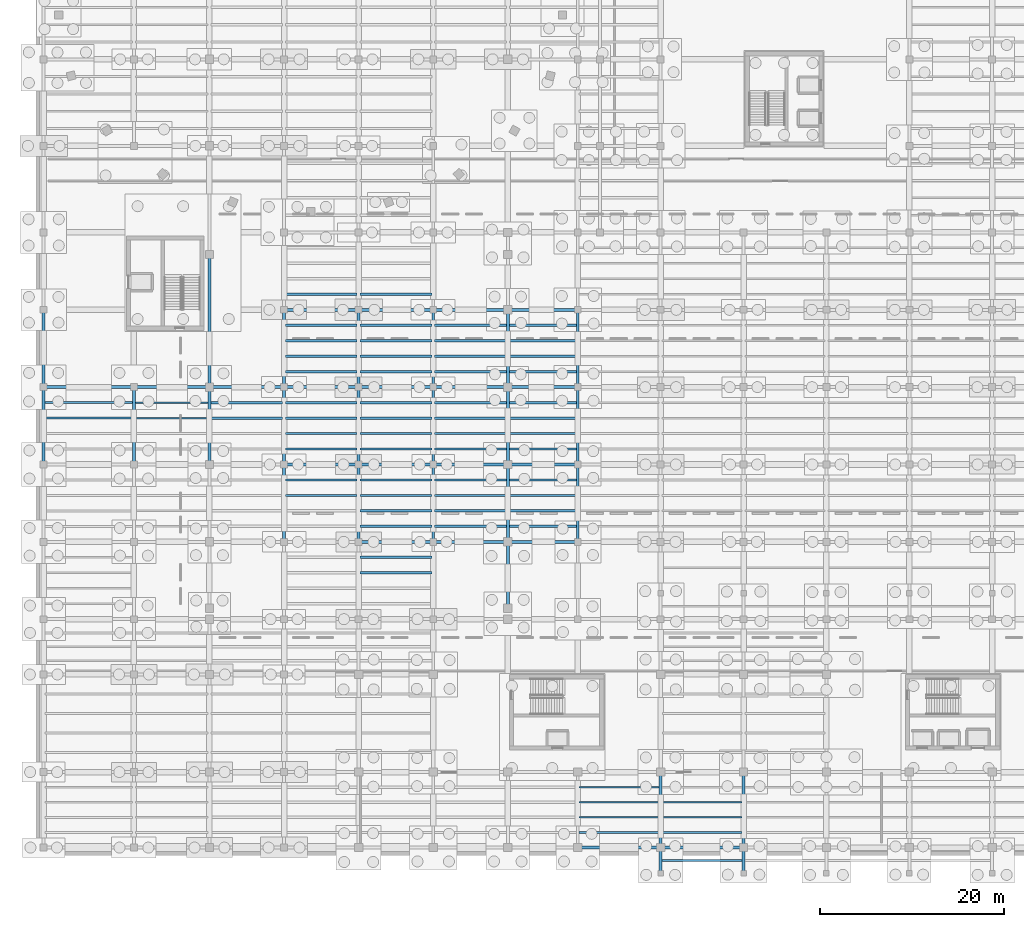
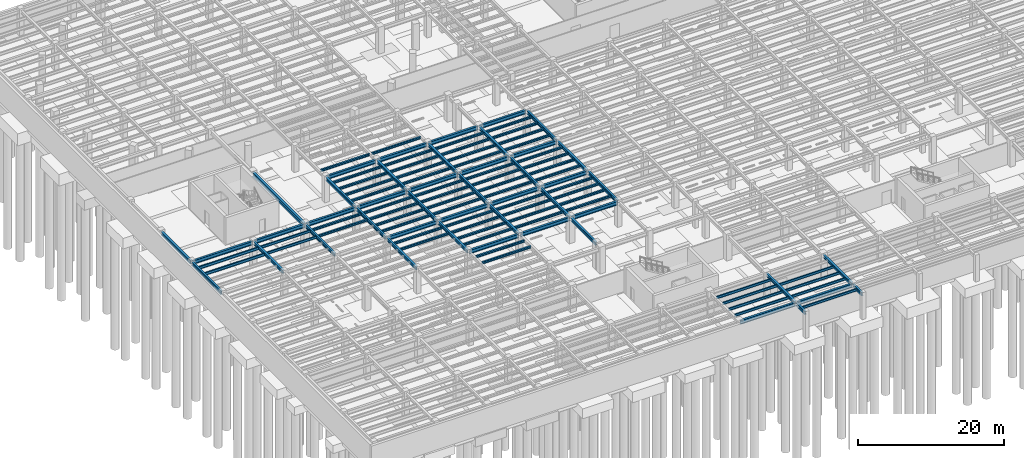
# One storey, part 20 of 49: 109 beams.
"""IFC4 building model written with IfcOpenShell, lengths in metres."""

from ifc_helpers import new_model, si_unit, direction, frame, origin, origin_2d, place, context, subcontext, project, spatial, i_section, extrude, material, material_profile, profile_set, type_object, element, save


model = new_model("IFC4")

# Units and contexts
model_context = context("Model", 3, precision=1e-05, world=origin(), true_north=direction((0.0, 1.0)))
body_context = subcontext(model_context, "Body", "Model", "MODEL_VIEW")
ifc_project = project(units=[si_unit("LENGTHUNIT", "METRE"), si_unit("AREAUNIT", "SQUARE_METRE"), si_unit("VOLUMEUNIT", "CUBIC_METRE"), si_unit("PLANEANGLEUNIT", "RADIAN"), si_unit("MASSUNIT", "GRAM", prefix="KILO")], contexts=[model_context])

# Site, building, storey
site_placement = place(None, origin())
site = spatial("IfcSite", under=ifc_project, at=site_placement, CompositionType="ELEMENT")
building_placement = place(site_placement, origin())
building = spatial("IfcBuilding", under=site, at=building_placement, Name="Sollismere Congress Hotel", CompositionType="ELEMENT")
storey_placement = place(building_placement, frame((0.0, 0.0, -4.5)))
storey = spatial("IfcBuildingStorey", under=building, at=storey_placement, Name="B1", CompositionType="ELEMENT", Elevation=-4.5)

# Beams
ifc_material = material(Name="Steel ASTM A992 Grade 50", Category="steel")
ifc_material_profile_1 = material_profile(ifc_material, i_section(OverallWidth=0.31494140625, OverallDepth=0.551025390625, WebThickness=0.01513671875, FlangeThickness=0.0244140625, at=origin_2d()), Name="W21X122")
ifc_profile_set_1 = profile_set([ifc_material_profile_1], Name="Steel ASTM A992 Grade 50")
beam_type_1 = type_object("IfcBeamType", Name="BM-G21H", PredefinedType="BEAM", material=ifc_profile_set_1)
for number, where, z_axis, x_axis, name in (
    (1, (9.800048828125, 41.739990234375, 3.924560546875), (0.0, 1.0, 0.0), (-1.0, 0.0, 0.0), "Beam BM-B1-0251"),
    (2, (18.0, 41.739990234375, 3.924560546875), (0.0, 1.0, 0.0), (-1.0, 0.0, 0.0), "Beam BM-B1-0261"),
):
    element("IfcBeam", number, at=place(storey_placement, frame(where, z_axis=z_axis, x_axis=x_axis)), inside=storey, type_object=beam_type_1, Name=name, PredefinedType="BEAM", context=body_context, shape_type="SweptSolid", body=[
        extrude(i_section(OverallWidth=0.31494140625, OverallDepth=0.551025390625, WebThickness=0.01513671875, FlangeThickness=0.0244140625, at=origin_2d()), origin(), (0.0, 0.0, 1.0), 8.1201171875),
    ])
beam_1_placement = place(storey_placement, frame((26.10009765625, 33.340087890625, 3.924560546875), z_axis=(0.0, 1.0, 0.0), x_axis=(-1.0, 0.0, 0.0)))
element("IfcBeam", 3, at=beam_1_placement, inside=storey, type_object=beam_type_1, Name="Beam BM-B1-0272", PredefinedType="BEAM", context=body_context, shape_type="SweptSolid", body=[
    extrude(i_section(OverallWidth=0.31494140625, OverallDepth=0.551025390625, WebThickness=0.01513671875, FlangeThickness=0.0244140625, at=origin_2d()), origin(), (0.0, 0.0, 1.0), 8.119873046875),
])
for number, where, z_axis, x_axis, name in (
    (4, (26.10009765625, 41.739990234375, 3.924560546875), (0.0, 1.0, 0.0), (-1.0, 0.0, 0.0), "Beam BM-B1-0273"),
    (5, (26.10009765625, 50.139892578125, 3.924560546875), (0.0, 1.0, 0.0), (-1.0, 0.0, 0.0), "Beam BM-B1-0274"),
):
    element("IfcBeam", number, at=place(storey_placement, frame(where, z_axis=z_axis, x_axis=x_axis)), inside=storey, type_object=beam_type_1, Name=name, PredefinedType="BEAM", context=body_context, shape_type="SweptSolid", body=[
        extrude(i_section(OverallWidth=0.31494140625, OverallDepth=0.551025390625, WebThickness=0.01513671875, FlangeThickness=0.0244140625, at=origin_2d()), origin(), (0.0, 0.0, 1.0), 8.1201171875),
    ])
beam_2_placement = place(storey_placement, frame((34.199951171875, 33.340087890625, 3.924560546875), z_axis=(0.0, 1.0, 0.0), x_axis=(-1.0, 0.0, 0.0)))
element("IfcBeam", 6, at=beam_2_placement, inside=storey, type_object=beam_type_1, Name="Beam BM-B1-0285", PredefinedType="BEAM", context=body_context, shape_type="SweptSolid", body=[
    extrude(i_section(OverallWidth=0.31494140625, OverallDepth=0.551025390625, WebThickness=0.01513671875, FlangeThickness=0.0244140625, at=origin_2d()), origin(), (0.0, 0.0, 1.0), 8.119873046875),
])
for number, where, z_axis, x_axis, name in (
    (7, (34.199951171875, 41.739990234375, 3.924560546875), (0.0, 1.0, 0.0), (-1.0, 0.0, 0.0), "Beam BM-B1-0286"),
    (8, (34.199951171875, 50.139892578125, 3.924560546875), (0.0, 1.0, 0.0), (-1.0, 0.0, 0.0), "Beam BM-B1-0287"),
):
    element("IfcBeam", number, at=place(storey_placement, frame(where, z_axis=z_axis, x_axis=x_axis)), inside=storey, type_object=beam_type_1, Name=name, PredefinedType="BEAM", context=body_context, shape_type="SweptSolid", body=[
        extrude(i_section(OverallWidth=0.31494140625, OverallDepth=0.551025390625, WebThickness=0.01513671875, FlangeThickness=0.0244140625, at=origin_2d()), origin(), (0.0, 0.0, 1.0), 8.1201171875),
    ])
beam_3_placement = place(storey_placement, frame((42.300048828125, 33.340087890625, 3.924560546875), z_axis=(0.0, 1.0, 0.0), x_axis=(-1.0, 0.0, 0.0)))
element("IfcBeam", 9, at=beam_3_placement, inside=storey, type_object=beam_type_1, Name="Beam BM-B1-0298", PredefinedType="BEAM", context=body_context, shape_type="SweptSolid", body=[
    extrude(i_section(OverallWidth=0.31494140625, OverallDepth=0.551025390625, WebThickness=0.01513671875, FlangeThickness=0.0244140625, at=origin_2d()), origin(), (0.0, 0.0, 1.0), 8.119873046875),
])
for number, where, z_axis, x_axis, name in (
    (10, (42.300048828125, 41.739990234375, 3.924560546875), (0.0, 1.0, 0.0), (-1.0, 0.0, 0.0), "Beam BM-B1-0299"),
    (11, (42.300048828125, 50.139892578125, 3.924560546875), (0.0, 1.0, 0.0), (-1.0, 0.0, 0.0), "Beam BM-B1-0300"),
):
    element("IfcBeam", number, at=place(storey_placement, frame(where, z_axis=z_axis, x_axis=x_axis)), inside=storey, type_object=beam_type_1, Name=name, PredefinedType="BEAM", context=body_context, shape_type="SweptSolid", body=[
        extrude(i_section(OverallWidth=0.31494140625, OverallDepth=0.551025390625, WebThickness=0.01513671875, FlangeThickness=0.0244140625, at=origin_2d()), origin(), (0.0, 0.0, 1.0), 8.1201171875),
    ])
beam_4_placement = place(storey_placement, frame((50.39990234375, 26.139892578125, 3.924560546875), z_axis=(0.0, 1.0, 0.0), x_axis=(-1.0, 0.0, 0.0)))
element("IfcBeam", 12, at=beam_4_placement, inside=storey, type_object=beam_type_1, Name="Beam BM-B1-0308", PredefinedType="BEAM", context=body_context, shape_type="SweptSolid", body=[
    extrude(i_section(OverallWidth=0.31494140625, OverallDepth=0.551025390625, WebThickness=0.01513671875, FlangeThickness=0.0244140625, at=origin_2d()), origin(), (0.0, 0.0, 1.0), 6.920166015625),
])
beam_5_placement = place(storey_placement, frame((50.39990234375, 33.340087890625, 3.924560546875), z_axis=(0.0, 1.0, 0.0), x_axis=(-1.0, 0.0, 0.0)))
element("IfcBeam", 13, at=beam_5_placement, inside=storey, type_object=beam_type_1, Name="Beam BM-B1-0309", PredefinedType="BEAM", context=body_context, shape_type="SweptSolid", body=[
    extrude(i_section(OverallWidth=0.31494140625, OverallDepth=0.551025390625, WebThickness=0.01513671875, FlangeThickness=0.0244140625, at=origin_2d()), origin(), (0.0, 0.0, 1.0), 8.119873046875),
])
for number, where, z_axis, x_axis, name in (
    (14, (50.39990234375, 41.739990234375, 3.924560546875), (0.0, 1.0, 0.0), (-1.0, 0.0, 0.0), "Beam BM-B1-0310"),
    (15, (50.39990234375, 50.139892578125, 3.924560546875), (0.0, 1.0, 0.0), (-1.0, 0.0, 0.0), "Beam BM-B1-0311"),
):
    element("IfcBeam", number, at=place(storey_placement, frame(where, z_axis=z_axis, x_axis=x_axis)), inside=storey, type_object=beam_type_1, Name=name, PredefinedType="BEAM", context=body_context, shape_type="SweptSolid", body=[
        extrude(i_section(OverallWidth=0.31494140625, OverallDepth=0.551025390625, WebThickness=0.01513671875, FlangeThickness=0.0244140625, at=origin_2d()), origin(), (0.0, 0.0, 1.0), 8.1201171875),
    ])
beam_6_placement = place(storey_placement, frame((58.0, 33.340087890625, 3.924560546875), z_axis=(0.0, 1.0, 0.0), x_axis=(-1.0, 0.0, 0.0)))
element("IfcBeam", 16, at=beam_6_placement, inside=storey, type_object=beam_type_1, Name="Beam BM-B1-0317", PredefinedType="BEAM", context=body_context, shape_type="SweptSolid", body=[
    extrude(i_section(OverallWidth=0.31494140625, OverallDepth=0.551025390625, WebThickness=0.01513671875, FlangeThickness=0.0244140625, at=origin_2d()), origin(), (0.0, 0.0, 1.0), 8.119873046875),
])
for number, where, z_axis, x_axis, name in (
    (17, (58.0, 41.739990234375, 3.924560546875), (0.0, 1.0, 0.0), (-1.0, 0.0, 0.0), "Beam BM-B1-0318"),
    (18, (58.0, 50.139892578125, 3.924560546875), (0.0, 1.0, 0.0), (-1.0, 0.0, 0.0), "Beam BM-B1-0319"),
):
    element("IfcBeam", number, at=place(storey_placement, frame(where, z_axis=z_axis, x_axis=x_axis)), inside=storey, type_object=beam_type_1, Name=name, PredefinedType="BEAM", context=body_context, shape_type="SweptSolid", body=[
        extrude(i_section(OverallWidth=0.31494140625, OverallDepth=0.551025390625, WebThickness=0.01513671875, FlangeThickness=0.0244140625, at=origin_2d()), origin(), (0.0, 0.0, 1.0), 8.1201171875),
    ])
beam_7_placement = place(storey_placement, frame((67.0, -2.659912109375, 3.924560546875), z_axis=(0.0, 1.0, 0.0), x_axis=(-1.0, 0.0, 0.0)))
element("IfcBeam", 19, at=beam_7_placement, inside=storey, type_object=beam_type_1, Name="Beam BM-B1-0330", PredefinedType="BEAM", context=body_context, shape_type="SweptSolid", body=[
    extrude(i_section(OverallWidth=0.31494140625, OverallDepth=0.551025390625, WebThickness=0.01513671875, FlangeThickness=0.0244140625, at=origin_2d()), origin(), (0.0, 0.0, 1.0), 2.52001953125),
])
beam_8_placement = place(storey_placement, frame((67.0, 0.139892578125, 3.924560546875), z_axis=(0.0, 1.0, 0.0), x_axis=(-1.0, 0.0, 0.0)))
element("IfcBeam", 20, at=beam_8_placement, inside=storey, type_object=beam_type_1, Name="Beam BM-B1-0331", PredefinedType="BEAM", context=body_context, shape_type="SweptSolid", body=[
    extrude(i_section(OverallWidth=0.31494140625, OverallDepth=0.551025390625, WebThickness=0.01513671875, FlangeThickness=0.0244140625, at=origin_2d()), origin(), (0.0, 0.0, 1.0), 7.920166015625),
])
beam_9_placement = place(storey_placement, frame((76.0, -2.659912109375, 3.924560546875), z_axis=(0.0, 1.0, 0.0), x_axis=(-1.0, 0.0, 0.0)))
element("IfcBeam", 21, at=beam_9_placement, inside=storey, type_object=beam_type_1, Name="Beam BM-B1-0345", PredefinedType="BEAM", context=body_context, shape_type="SweptSolid", body=[
    extrude(i_section(OverallWidth=0.31494140625, OverallDepth=0.551025390625, WebThickness=0.01513671875, FlangeThickness=0.0244140625, at=origin_2d()), origin(), (0.0, 0.0, 1.0), 2.52001953125),
])
beam_10_placement = place(storey_placement, frame((76.0, 0.139892578125, 3.924560546875), z_axis=(0.0, 1.0, 0.0), x_axis=(-1.0, 0.0, 0.0)))
element("IfcBeam", 22, at=beam_10_placement, inside=storey, type_object=beam_type_1, Name="Beam BM-B1-0346", PredefinedType="BEAM", context=body_context, shape_type="SweptSolid", body=[
    extrude(i_section(OverallWidth=0.31494140625, OverallDepth=0.551025390625, WebThickness=0.01513671875, FlangeThickness=0.0244140625, at=origin_2d()), origin(), (0.0, 0.0, 1.0), 7.920166015625),
])
ifc_material_profile_2 = material_profile(ifc_material, i_section(OverallWidth=0.324951171875, OverallDepth=0.612060546875, WebThickness=0.0126953125, FlangeThickness=0.01904296875, at=origin_2d()), Name="W24X104")
ifc_profile_set_2 = profile_set([ifc_material_profile_2], Name="Steel ASTM A992 Grade 50")
beam_type_2 = type_object("IfcBeamType", Name="BM-G24", PredefinedType="BEAM", material=ifc_profile_set_2)
beam_11_placement = place(storey_placement, frame((34.340087890625, 33.199951171875, 3.89404296875), z_axis=(1.0, 0.0, 0.0), x_axis=(0.0, 1.0, 0.0)))
element("IfcBeam", 23, at=beam_11_placement, inside=storey, type_object=beam_type_2, Name="Beam BM-B1-0068", PredefinedType="BEAM", context=body_context, shape_type="SweptSolid", body=[
    extrude(i_section(OverallWidth=0.324951171875, OverallDepth=0.612060546875, WebThickness=0.0126953125, FlangeThickness=0.01904296875, at=origin_2d()), origin(), (0.0, 0.0, 1.0), 7.81982421875),
])
beam_12_placement = place(storey_placement, frame((42.43994140625, 33.199951171875, 3.89404296875), z_axis=(1.0, 0.0, 0.0), x_axis=(0.0, 1.0, 0.0)))
element("IfcBeam", 24, at=beam_12_placement, inside=storey, type_object=beam_type_2, Name="Beam BM-B1-0069", PredefinedType="BEAM", context=body_context, shape_type="SweptSolid", body=[
    extrude(i_section(OverallWidth=0.324951171875, OverallDepth=0.612060546875, WebThickness=0.0126953125, FlangeThickness=0.01904296875, at=origin_2d()), origin(), (0.0, 0.0, 1.0), 7.820068359375),
])
beam_13_placement = place(storey_placement, frame((50.5400390625, 33.199951171875, 3.89404296875), z_axis=(1.0, 0.0, 0.0), x_axis=(0.0, 1.0, 0.0)))
element("IfcBeam", 25, at=beam_13_placement, inside=storey, type_object=beam_type_2, Name="Beam BM-B1-0070", PredefinedType="BEAM", context=body_context, shape_type="SweptSolid", body=[
    extrude(i_section(OverallWidth=0.324951171875, OverallDepth=0.612060546875, WebThickness=0.0126953125, FlangeThickness=0.01904296875, at=origin_2d()), origin(), (0.0, 0.0, 1.0), 7.320068359375),
])
beam_14_placement = place(storey_placement, frame((26.239990234375, 41.60009765625, 3.89404296875), z_axis=(1.0, 0.0, 0.0), x_axis=(0.0, 1.0, 0.0)))
element("IfcBeam", 26, at=beam_14_placement, inside=storey, type_object=beam_type_2, Name="Beam BM-B1-0085", PredefinedType="BEAM", context=body_context, shape_type="SweptSolid", body=[
    extrude(i_section(OverallWidth=0.324951171875, OverallDepth=0.612060546875, WebThickness=0.0126953125, FlangeThickness=0.01904296875, at=origin_2d()), origin(), (0.0, 0.0, 1.0), 7.820068359375),
])
beam_15_placement = place(storey_placement, frame((34.340087890625, 41.60009765625, 3.89404296875), z_axis=(1.0, 0.0, 0.0), x_axis=(0.0, 1.0, 0.0)))
element("IfcBeam", 27, at=beam_15_placement, inside=storey, type_object=beam_type_2, Name="Beam BM-B1-0086", PredefinedType="BEAM", context=body_context, shape_type="SweptSolid", body=[
    extrude(i_section(OverallWidth=0.324951171875, OverallDepth=0.612060546875, WebThickness=0.0126953125, FlangeThickness=0.01904296875, at=origin_2d()), origin(), (0.0, 0.0, 1.0), 7.81982421875),
])
beam_16_placement = place(storey_placement, frame((42.43994140625, 41.60009765625, 3.89404296875), z_axis=(1.0, 0.0, 0.0), x_axis=(0.0, 1.0, 0.0)))
element("IfcBeam", 28, at=beam_16_placement, inside=storey, type_object=beam_type_2, Name="Beam BM-B1-0087", PredefinedType="BEAM", context=body_context, shape_type="SweptSolid", body=[
    extrude(i_section(OverallWidth=0.324951171875, OverallDepth=0.612060546875, WebThickness=0.0126953125, FlangeThickness=0.01904296875, at=origin_2d()), origin(), (0.0, 0.0, 1.0), 7.820068359375),
])
beam_17_placement = place(storey_placement, frame((50.5400390625, 41.60009765625, 3.89404296875), z_axis=(1.0, 0.0, 0.0), x_axis=(0.0, 1.0, 0.0)))
element("IfcBeam", 29, at=beam_17_placement, inside=storey, type_object=beam_type_2, Name="Beam BM-B1-0088", PredefinedType="BEAM", context=body_context, shape_type="SweptSolid", body=[
    extrude(i_section(OverallWidth=0.324951171875, OverallDepth=0.612060546875, WebThickness=0.0126953125, FlangeThickness=0.01904296875, at=origin_2d()), origin(), (0.0, 0.0, 1.0), 7.320068359375),
])
beam_18_placement = place(storey_placement, frame((0.139892578125, 50.0, 3.89404296875), z_axis=(1.0, 0.0, 0.0), x_axis=(0.0, 1.0, 0.0)))
element("IfcBeam", 30, at=beam_18_placement, inside=storey, type_object=beam_type_2, Name="Beam BM-B1-0097", PredefinedType="BEAM", context=body_context, shape_type="SweptSolid", body=[
    extrude(i_section(OverallWidth=0.324951171875, OverallDepth=0.612060546875, WebThickness=0.0126953125, FlangeThickness=0.01904296875, at=origin_2d()), origin(), (0.0, 0.0, 1.0), 9.52001953125),
])
beam_19_placement = place(storey_placement, frame((9.93994140625, 50.0, 3.89404296875), z_axis=(1.0, 0.0, 0.0), x_axis=(0.0, 1.0, 0.0)))
element("IfcBeam", 31, at=beam_19_placement, inside=storey, type_object=beam_type_2, Name="Beam BM-B1-0098", PredefinedType="BEAM", context=body_context, shape_type="SweptSolid", body=[
    extrude(i_section(OverallWidth=0.324951171875, OverallDepth=0.612060546875, WebThickness=0.0126953125, FlangeThickness=0.01904296875, at=origin_2d()), origin(), (0.0, 0.0, 1.0), 7.920166015625),
])
for number, where, z_axis, x_axis, name in (
    (32, (18.139892578125, 50.0, 3.89404296875), (1.0, 0.0, 0.0), (0.0, 1.0, 0.0), "Beam BM-B1-0099"),
    (33, (26.239990234375, 50.0, 3.89404296875), (1.0, 0.0, 0.0), (0.0, 1.0, 0.0), "Beam BM-B1-0100"),
):
    element("IfcBeam", number, at=place(storey_placement, frame(where, z_axis=z_axis, x_axis=x_axis)), inside=storey, type_object=beam_type_2, Name=name, PredefinedType="BEAM", context=body_context, shape_type="SweptSolid", body=[
        extrude(i_section(OverallWidth=0.324951171875, OverallDepth=0.612060546875, WebThickness=0.0126953125, FlangeThickness=0.01904296875, at=origin_2d()), origin(), (0.0, 0.0, 1.0), 7.820068359375),
    ])
beam_20_placement = place(storey_placement, frame((34.340087890625, 50.0, 3.89404296875), z_axis=(1.0, 0.0, 0.0), x_axis=(0.0, 1.0, 0.0)))
element("IfcBeam", 34, at=beam_20_placement, inside=storey, type_object=beam_type_2, Name="Beam BM-B1-0101", PredefinedType="BEAM", context=body_context, shape_type="SweptSolid", body=[
    extrude(i_section(OverallWidth=0.324951171875, OverallDepth=0.612060546875, WebThickness=0.0126953125, FlangeThickness=0.01904296875, at=origin_2d()), origin(), (0.0, 0.0, 1.0), 7.81982421875),
])
beam_21_placement = place(storey_placement, frame((42.43994140625, 50.0, 3.89404296875), z_axis=(1.0, 0.0, 0.0), x_axis=(0.0, 1.0, 0.0)))
element("IfcBeam", 35, at=beam_21_placement, inside=storey, type_object=beam_type_2, Name="Beam BM-B1-0102", PredefinedType="BEAM", context=body_context, shape_type="SweptSolid", body=[
    extrude(i_section(OverallWidth=0.324951171875, OverallDepth=0.612060546875, WebThickness=0.0126953125, FlangeThickness=0.01904296875, at=origin_2d()), origin(), (0.0, 0.0, 1.0), 7.820068359375),
])
beam_22_placement = place(storey_placement, frame((50.5400390625, 50.0, 3.89404296875), z_axis=(1.0, 0.0, 0.0), x_axis=(0.0, 1.0, 0.0)))
element("IfcBeam", 36, at=beam_22_placement, inside=storey, type_object=beam_type_2, Name="Beam BM-B1-0103", PredefinedType="BEAM", context=body_context, shape_type="SweptSolid", body=[
    extrude(i_section(OverallWidth=0.324951171875, OverallDepth=0.612060546875, WebThickness=0.0126953125, FlangeThickness=0.01904296875, at=origin_2d()), origin(), (0.0, 0.0, 1.0), 7.320068359375),
])
beam_23_placement = place(storey_placement, frame((26.239990234375, 58.39990234375, 3.89404296875), z_axis=(1.0, 0.0, 0.0), x_axis=(0.0, 1.0, 0.0)))
element("IfcBeam", 37, at=beam_23_placement, inside=storey, type_object=beam_type_2, Name="Beam BM-B1-0112", PredefinedType="BEAM", context=body_context, shape_type="SweptSolid", body=[
    extrude(i_section(OverallWidth=0.324951171875, OverallDepth=0.612060546875, WebThickness=0.0126953125, FlangeThickness=0.01904296875, at=origin_2d()), origin(), (0.0, 0.0, 1.0), 7.820068359375),
])
beam_24_placement = place(storey_placement, frame((34.340087890625, 58.39990234375, 3.89404296875), z_axis=(1.0, 0.0, 0.0), x_axis=(0.0, 1.0, 0.0)))
element("IfcBeam", 38, at=beam_24_placement, inside=storey, type_object=beam_type_2, Name="Beam BM-B1-0113", PredefinedType="BEAM", context=body_context, shape_type="SweptSolid", body=[
    extrude(i_section(OverallWidth=0.324951171875, OverallDepth=0.612060546875, WebThickness=0.0126953125, FlangeThickness=0.01904296875, at=origin_2d()), origin(), (0.0, 0.0, 1.0), 7.81982421875),
])
beam_25_placement = place(storey_placement, frame((42.43994140625, 58.39990234375, 3.89404296875), z_axis=(1.0, 0.0, 0.0), x_axis=(0.0, 1.0, 0.0)))
element("IfcBeam", 39, at=beam_25_placement, inside=storey, type_object=beam_type_2, Name="Beam BM-B1-0114", PredefinedType="BEAM", context=body_context, shape_type="SweptSolid", body=[
    extrude(i_section(OverallWidth=0.324951171875, OverallDepth=0.612060546875, WebThickness=0.0126953125, FlangeThickness=0.01904296875, at=origin_2d()), origin(), (0.0, 0.0, 1.0), 7.820068359375),
])
beam_26_placement = place(storey_placement, frame((50.5400390625, 58.39990234375, 3.89404296875), z_axis=(1.0, 0.0, 0.0), x_axis=(0.0, 1.0, 0.0)))
element("IfcBeam", 40, at=beam_26_placement, inside=storey, type_object=beam_type_2, Name="Beam BM-B1-0115", PredefinedType="BEAM", context=body_context, shape_type="SweptSolid", body=[
    extrude(i_section(OverallWidth=0.324951171875, OverallDepth=0.612060546875, WebThickness=0.0126953125, FlangeThickness=0.01904296875, at=origin_2d()), origin(), (0.0, 0.0, 1.0), 7.320068359375),
])
ifc_material_profile_3 = material_profile(ifc_material, i_section(OverallWidth=0.35595703125, OverallDepth=0.696044921875, WebThickness=0.015380859375, FlangeThickness=0.025146484375, at=origin_2d()), Name="W27X146")
ifc_profile_set_3 = profile_set([ifc_material_profile_3], Name="Steel ASTM A992 Grade 50")
beam_type_3 = type_object("IfcBeamType", Name="BM-G27", PredefinedType="BEAM", material=ifc_profile_set_3)
beam_27_placement = place(storey_placement, frame((18.0, 50.139892578125, 3.85205078125), z_axis=(0.0, 1.0, 0.0), x_axis=(-1.0, 0.0, 0.0)))
element("IfcBeam", 41, at=beam_27_placement, inside=storey, type_object=beam_type_3, Name="Beam BM-B1-0262", PredefinedType="BEAM", context=body_context, shape_type="SweptSolid", body=[
    extrude(i_section(OverallWidth=0.35595703125, OverallDepth=0.696044921875, WebThickness=0.015380859375, FlangeThickness=0.025146484375, at=origin_2d()), origin(), (0.0, 0.0, 1.0), 14.1201171875),
])
ifc_material_profile_4 = material_profile(ifc_material, i_section(OverallWidth=0.25390625, OverallDepth=0.35595703125, WebThickness=0.010498046875, FlangeThickness=0.018310546875, at=origin_2d()), Name="W14X68")
ifc_profile_set_4 = profile_set([ifc_material_profile_4], Name="Steel ASTM A992 Grade 50")
beam_type_4 = type_object("IfcBeamType", Name="BM-J14", PredefinedType="JOIST", material=ifc_profile_set_4)
for number, where, z_axis, x_axis, name in (
    (42, (18.157470703125, 46.639892578125, 4.02197265625), (1.0, 0.0, 0.0), (0.0, 1.0, 0.0), "Beam BM-B1-0551"),
    (43, (18.157470703125, 48.320068359375, 4.02197265625), (1.0, 0.0, 0.0), (0.0, 1.0, 0.0), "Beam BM-B1-0552"),
    (44, (26.257568359375, 38.239990234375, 4.02197265625), (1.0, 0.0, 0.0), (0.0, 1.0, 0.0), "Beam BM-B1-0586"),
    (45, (26.257568359375, 39.919921875, 4.02197265625), (1.0, 0.0, 0.0), (0.0, 1.0, 0.0), "Beam BM-B1-0587"),
    (46, (26.257568359375, 43.280029296875, 4.02197265625), (1.0, 0.0, 0.0), (0.0, 1.0, 0.0), "Beam BM-B1-0588"),
    (47, (26.257568359375, 44.9599609375, 4.02197265625), (1.0, 0.0, 0.0), (0.0, 1.0, 0.0), "Beam BM-B1-0589"),
    (48, (26.257568359375, 46.639892578125, 4.02197265625), (1.0, 0.0, 0.0), (0.0, 1.0, 0.0), "Beam BM-B1-0590"),
    (49, (26.257568359375, 48.320068359375, 4.02197265625), (1.0, 0.0, 0.0), (0.0, 1.0, 0.0), "Beam BM-B1-0591"),
    (50, (26.257568359375, 51.679931640625, 4.02197265625), (1.0, 0.0, 0.0), (0.0, 1.0, 0.0), "Beam BM-B1-0592"),
    (51, (26.257568359375, 53.360107421875, 4.02197265625), (1.0, 0.0, 0.0), (0.0, 1.0, 0.0), "Beam BM-B1-0593"),
    (52, (26.257568359375, 55.0400390625, 4.02197265625), (1.0, 0.0, 0.0), (0.0, 1.0, 0.0), "Beam BM-B1-0594"),
    (53, (26.257568359375, 56.719970703125, 4.02197265625), (1.0, 0.0, 0.0), (0.0, 1.0, 0.0), "Beam BM-B1-0595"),
    (54, (26.257568359375, 60.080078125, 4.02197265625), (1.0, 0.0, 0.0), (0.0, 1.0, 0.0), "Beam BM-B1-0596"),
):
    element("IfcBeam", number, at=place(storey_placement, frame(where, z_axis=z_axis, x_axis=x_axis)), inside=storey, type_object=beam_type_4, Name=name, PredefinedType="JOIST", context=body_context, shape_type="SweptSolid", body=[
        extrude(i_section(OverallWidth=0.25390625, OverallDepth=0.35595703125, WebThickness=0.010498046875, FlangeThickness=0.018310546875, at=origin_2d()), origin(), (0.0, 0.0, 1.0), 7.784912109375),
    ])
for number, where, z_axis, x_axis, name in (
    (55, (34.357421875, 29.840087890625, 4.02197265625), (1.0, 0.0, 0.0), (0.0, 1.0, 0.0), "Beam BM-B1-0633"),
    (56, (34.357421875, 31.52001953125, 4.02197265625), (1.0, 0.0, 0.0), (0.0, 1.0, 0.0), "Beam BM-B1-0634"),
    (57, (34.357421875, 34.8798828125, 4.02197265625), (1.0, 0.0, 0.0), (0.0, 1.0, 0.0), "Beam BM-B1-0635"),
    (58, (34.357421875, 36.56005859375, 4.02197265625), (1.0, 0.0, 0.0), (0.0, 1.0, 0.0), "Beam BM-B1-0636"),
    (59, (34.357421875, 38.239990234375, 4.02197265625), (1.0, 0.0, 0.0), (0.0, 1.0, 0.0), "Beam BM-B1-0637"),
    (60, (34.357421875, 39.919921875, 4.02197265625), (1.0, 0.0, 0.0), (0.0, 1.0, 0.0), "Beam BM-B1-0638"),
    (61, (34.357421875, 43.280029296875, 4.02197265625), (1.0, 0.0, 0.0), (0.0, 1.0, 0.0), "Beam BM-B1-0639"),
    (62, (34.357421875, 44.9599609375, 4.02197265625), (1.0, 0.0, 0.0), (0.0, 1.0, 0.0), "Beam BM-B1-0640"),
    (63, (34.357421875, 46.639892578125, 4.02197265625), (1.0, 0.0, 0.0), (0.0, 1.0, 0.0), "Beam BM-B1-0641"),
    (64, (34.357421875, 48.320068359375, 4.02197265625), (1.0, 0.0, 0.0), (0.0, 1.0, 0.0), "Beam BM-B1-0642"),
    (65, (34.357421875, 51.679931640625, 4.02197265625), (1.0, 0.0, 0.0), (0.0, 1.0, 0.0), "Beam BM-B1-0643"),
    (66, (34.357421875, 53.360107421875, 4.02197265625), (1.0, 0.0, 0.0), (0.0, 1.0, 0.0), "Beam BM-B1-0644"),
    (67, (34.357421875, 55.0400390625, 4.02197265625), (1.0, 0.0, 0.0), (0.0, 1.0, 0.0), "Beam BM-B1-0645"),
    (68, (34.357421875, 56.719970703125, 4.02197265625), (1.0, 0.0, 0.0), (0.0, 1.0, 0.0), "Beam BM-B1-0646"),
    (69, (34.357421875, 60.080078125, 4.02197265625), (1.0, 0.0, 0.0), (0.0, 1.0, 0.0), "Beam BM-B1-0647"),
):
    element("IfcBeam", number, at=place(storey_placement, frame(where, z_axis=z_axis, x_axis=x_axis)), inside=storey, type_object=beam_type_4, Name=name, PredefinedType="JOIST", context=body_context, shape_type="SweptSolid", body=[
        extrude(i_section(OverallWidth=0.25390625, OverallDepth=0.35595703125, WebThickness=0.010498046875, FlangeThickness=0.018310546875, at=origin_2d()), origin(), (0.0, 0.0, 1.0), 7.78515625),
    ])
for number, where, z_axis, x_axis, name in (
    (70, (42.45751953125, 34.8798828125, 4.02197265625), (1.0, 0.0, 0.0), (0.0, 1.0, 0.0), "Beam BM-B1-0675"),
    (71, (42.45751953125, 36.56005859375, 4.02197265625), (1.0, 0.0, 0.0), (0.0, 1.0, 0.0), "Beam BM-B1-0676"),
    (72, (42.45751953125, 38.239990234375, 4.02197265625), (1.0, 0.0, 0.0), (0.0, 1.0, 0.0), "Beam BM-B1-0677"),
    (73, (42.45751953125, 39.919921875, 4.02197265625), (1.0, 0.0, 0.0), (0.0, 1.0, 0.0), "Beam BM-B1-0678"),
    (74, (42.45751953125, 43.280029296875, 4.02197265625), (1.0, 0.0, 0.0), (0.0, 1.0, 0.0), "Beam BM-B1-0679"),
    (75, (42.45751953125, 44.9599609375, 4.02197265625), (1.0, 0.0, 0.0), (0.0, 1.0, 0.0), "Beam BM-B1-0680"),
    (76, (42.45751953125, 46.639892578125, 4.02197265625), (1.0, 0.0, 0.0), (0.0, 1.0, 0.0), "Beam BM-B1-0681"),
    (77, (42.45751953125, 48.320068359375, 4.02197265625), (1.0, 0.0, 0.0), (0.0, 1.0, 0.0), "Beam BM-B1-0682"),
    (78, (42.45751953125, 51.679931640625, 4.02197265625), (1.0, 0.0, 0.0), (0.0, 1.0, 0.0), "Beam BM-B1-0683"),
    (79, (42.45751953125, 53.360107421875, 4.02197265625), (1.0, 0.0, 0.0), (0.0, 1.0, 0.0), "Beam BM-B1-0684"),
    (80, (42.45751953125, 55.0400390625, 4.02197265625), (1.0, 0.0, 0.0), (0.0, 1.0, 0.0), "Beam BM-B1-0685"),
    (81, (42.45751953125, 56.719970703125, 4.02197265625), (1.0, 0.0, 0.0), (0.0, 1.0, 0.0), "Beam BM-B1-0686"),
):
    element("IfcBeam", number, at=place(storey_placement, frame(where, z_axis=z_axis, x_axis=x_axis)), inside=storey, type_object=beam_type_4, Name=name, PredefinedType="JOIST", context=body_context, shape_type="SweptSolid", body=[
        extrude(i_section(OverallWidth=0.25390625, OverallDepth=0.35595703125, WebThickness=0.010498046875, FlangeThickness=0.018310546875, at=origin_2d()), origin(), (0.0, 0.0, 1.0), 7.784912109375),
    ])
for number, where, z_axis, x_axis, name in (
    (82, (50.5576171875, 34.8798828125, 4.02197265625), (1.0, 0.0, 0.0), (0.0, 1.0, 0.0), "Beam BM-B1-0695"),
    (83, (50.5576171875, 36.56005859375, 4.02197265625), (1.0, 0.0, 0.0), (0.0, 1.0, 0.0), "Beam BM-B1-0696"),
    (84, (50.5576171875, 38.239990234375, 4.02197265625), (1.0, 0.0, 0.0), (0.0, 1.0, 0.0), "Beam BM-B1-0697"),
    (85, (50.5576171875, 39.919921875, 4.02197265625), (1.0, 0.0, 0.0), (0.0, 1.0, 0.0), "Beam BM-B1-0698"),
    (86, (50.5576171875, 43.280029296875, 4.02197265625), (1.0, 0.0, 0.0), (0.0, 1.0, 0.0), "Beam BM-B1-0699"),
    (87, (50.5576171875, 44.9599609375, 4.02197265625), (1.0, 0.0, 0.0), (0.0, 1.0, 0.0), "Beam BM-B1-0700"),
    (88, (50.5576171875, 46.639892578125, 4.02197265625), (1.0, 0.0, 0.0), (0.0, 1.0, 0.0), "Beam BM-B1-0701"),
    (89, (50.5576171875, 48.320068359375, 4.02197265625), (1.0, 0.0, 0.0), (0.0, 1.0, 0.0), "Beam BM-B1-0702"),
    (90, (50.5576171875, 51.679931640625, 4.02197265625), (1.0, 0.0, 0.0), (0.0, 1.0, 0.0), "Beam BM-B1-0703"),
    (91, (50.5576171875, 53.360107421875, 4.02197265625), (1.0, 0.0, 0.0), (0.0, 1.0, 0.0), "Beam BM-B1-0704"),
    (92, (50.5576171875, 55.0400390625, 4.02197265625), (1.0, 0.0, 0.0), (0.0, 1.0, 0.0), "Beam BM-B1-0705"),
    (93, (50.5576171875, 56.719970703125, 4.02197265625), (1.0, 0.0, 0.0), (0.0, 1.0, 0.0), "Beam BM-B1-0706"),
):
    element("IfcBeam", number, at=place(storey_placement, frame(where, z_axis=z_axis, x_axis=x_axis)), inside=storey, type_object=beam_type_4, Name=name, PredefinedType="JOIST", context=body_context, shape_type="SweptSolid", body=[
        extrude(i_section(OverallWidth=0.25390625, OverallDepth=0.35595703125, WebThickness=0.010498046875, FlangeThickness=0.018310546875, at=origin_2d()), origin(), (0.0, 0.0, 1.0), 7.284912109375),
    ])
ifc_material_profile_5 = material_profile(ifc_material, i_section(OverallWidth=0.180908203125, OverallDepth=0.4169921875, WebThickness=0.010986328125, FlangeThickness=0.018310546875, at=origin_2d()), Name="W16X57")
ifc_profile_set_5 = profile_set([ifc_material_profile_5], Name="Steel ASTM A992 Grade 50")
beam_type_5 = type_object("IfcBeamType", Name="BM-J16", PredefinedType="JOIST", material=ifc_profile_set_5)
for number, where, z_axis, x_axis, name in (
    (94, (9.95751953125, 46.639892578125, 3.991455078125), (1.0, 0.0, 0.0), (0.0, 1.0, 0.0), "Beam BM-B1-0516"),
    (95, (9.95751953125, 48.320068359375, 3.991455078125), (1.0, 0.0, 0.0), (0.0, 1.0, 0.0), "Beam BM-B1-0517"),
):
    element("IfcBeam", number, at=place(storey_placement, frame(where, z_axis=z_axis, x_axis=x_axis)), inside=storey, type_object=beam_type_5, Name=name, PredefinedType="JOIST", context=body_context, shape_type="SweptSolid", body=[
        extrude(i_section(OverallWidth=0.180908203125, OverallDepth=0.4169921875, WebThickness=0.010986328125, FlangeThickness=0.018310546875, at=origin_2d()), origin(), (0.0, 0.0, 1.0), 7.885009765625),
    ])
for number, where, z_axis, x_axis, name in (
    (96, (58.157470703125, 1.639892578125, 3.991455078125), (1.0, 0.0, 0.0), (0.0, 1.0, 0.0), "Beam BM-B1-0711"),
    (97, (58.157470703125, 3.280029296875, 3.991455078125), (1.0, 0.0, 0.0), (0.0, 1.0, 0.0), "Beam BM-B1-0712"),
    (98, (58.157470703125, 4.919921875, 3.991455078125), (1.0, 0.0, 0.0), (0.0, 1.0, 0.0), "Beam BM-B1-0713"),
    (99, (58.157470703125, 6.56005859375, 3.991455078125), (1.0, 0.0, 0.0), (0.0, 1.0, 0.0), "Beam BM-B1-0714"),
    (100, (67.157470703125, -1.39990234375, 3.991455078125), (1.0, 0.0, 0.0), (0.0, 1.0, 0.0), "Beam BM-B1-0762"),
    (101, (67.157470703125, 1.639892578125, 3.991455078125), (1.0, 0.0, 0.0), (0.0, 1.0, 0.0), "Beam BM-B1-0763"),
    (102, (67.157470703125, 3.280029296875, 3.991455078125), (1.0, 0.0, 0.0), (0.0, 1.0, 0.0), "Beam BM-B1-0764"),
    (103, (67.157470703125, 4.919921875, 3.991455078125), (1.0, 0.0, 0.0), (0.0, 1.0, 0.0), "Beam BM-B1-0765"),
):
    element("IfcBeam", number, at=place(storey_placement, frame(where, z_axis=z_axis, x_axis=x_axis)), inside=storey, type_object=beam_type_5, Name=name, PredefinedType="JOIST", context=body_context, shape_type="SweptSolid", body=[
        extrude(i_section(OverallWidth=0.180908203125, OverallDepth=0.4169921875, WebThickness=0.010986328125, FlangeThickness=0.018310546875, at=origin_2d()), origin(), (0.0, 0.0, 1.0), 8.68505859375),
    ])
ifc_material_profile_6 = material_profile(ifc_material, i_section(OverallWidth=0.193115234375, OverallDepth=0.467041015625, WebThickness=0.011474609375, FlangeThickness=0.01904296875, at=origin_2d()), Name="W18X65")
ifc_profile_set_6 = profile_set([ifc_material_profile_6], Name="Steel ASTM A992 Grade 50")
beam_type_6 = type_object("IfcBeamType", Name="BM-J18", PredefinedType="JOIST", material=ifc_profile_set_6)
for number, where, z_axis, x_axis, name in (
    (104, (0.1650390625, 46.639892578125, 3.966552734375), (1.0, 0.0, 0.0), (0.0, 1.0, 0.0), "Beam BM-B1-0481"),
    (105, (0.1650390625, 48.320068359375, 3.966552734375), (1.0, 0.0, 0.0), (0.0, 1.0, 0.0), "Beam BM-B1-0482"),
):
    element("IfcBeam", number, at=place(storey_placement, frame(where, z_axis=z_axis, x_axis=x_axis)), inside=storey, type_object=beam_type_6, Name=name, PredefinedType="JOIST", context=body_context, shape_type="SweptSolid", body=[
        extrude(i_section(OverallWidth=0.193115234375, OverallDepth=0.467041015625, WebThickness=0.011474609375, FlangeThickness=0.01904296875, at=origin_2d()), origin(), (0.0, 0.0, 1.0), 9.4775390625),
    ])
ifc_material_profile_7 = material_profile(ifc_material, i_section(OverallWidth=0.330078125, OverallDepth=0.635009765625, WebThickness=0.017822265625, FlangeThickness=0.031005859375, at=origin_2d()), Name="W24X162")
ifc_profile_set_7 = profile_set([ifc_material_profile_7], Name="Steel ASTM A992 Grade 50")
beam_type_7 = type_object("IfcBeamType", Name="BM-SP24E", PredefinedType="SPANDREL", material=ifc_profile_set_7)
for number, where, z_axis, x_axis, name in (
    (106, (58.139892578125, 0.0, 3.882568359375), (1.0, 0.0, 0.0), (0.0, 1.0, 0.0), "Beam BM-B1-0008"),
    (107, (67.139892578125, 0.0, 3.882568359375), (1.0, 0.0, 0.0), (0.0, 1.0, 0.0), "Beam BM-B1-0009"),
):
    element("IfcBeam", number, at=place(storey_placement, frame(where, z_axis=z_axis, x_axis=x_axis)), inside=storey, type_object=beam_type_7, Name=name, PredefinedType="SPANDREL", context=body_context, shape_type="SweptSolid", body=[
        extrude(i_section(OverallWidth=0.330078125, OverallDepth=0.635009765625, WebThickness=0.017822265625, FlangeThickness=0.031005859375, at=origin_2d()), origin(), (0.0, 0.0, 1.0), 8.72021484375),
    ])
for number, where, z_axis, x_axis, name in (
    (108, (0.0, 41.739990234375, 3.882568359375), (0.0, 1.0, 0.0), (-1.0, 0.0, 0.0), "Beam BM-B1-0238"),
    (109, (0.0, 50.139892578125, 3.882568359375), (0.0, 1.0, 0.0), (-1.0, 0.0, 0.0), "Beam BM-B1-0239"),
):
    element("IfcBeam", number, at=place(storey_placement, frame(where, z_axis=z_axis, x_axis=x_axis)), inside=storey, type_object=beam_type_7, Name=name, PredefinedType="SPANDREL", context=body_context, shape_type="SweptSolid", body=[
        extrude(i_section(OverallWidth=0.330078125, OverallDepth=0.635009765625, WebThickness=0.017822265625, FlangeThickness=0.031005859375, at=origin_2d()), origin(), (0.0, 0.0, 1.0), 8.1201171875),
    ])

save(model, "model.ifc")
